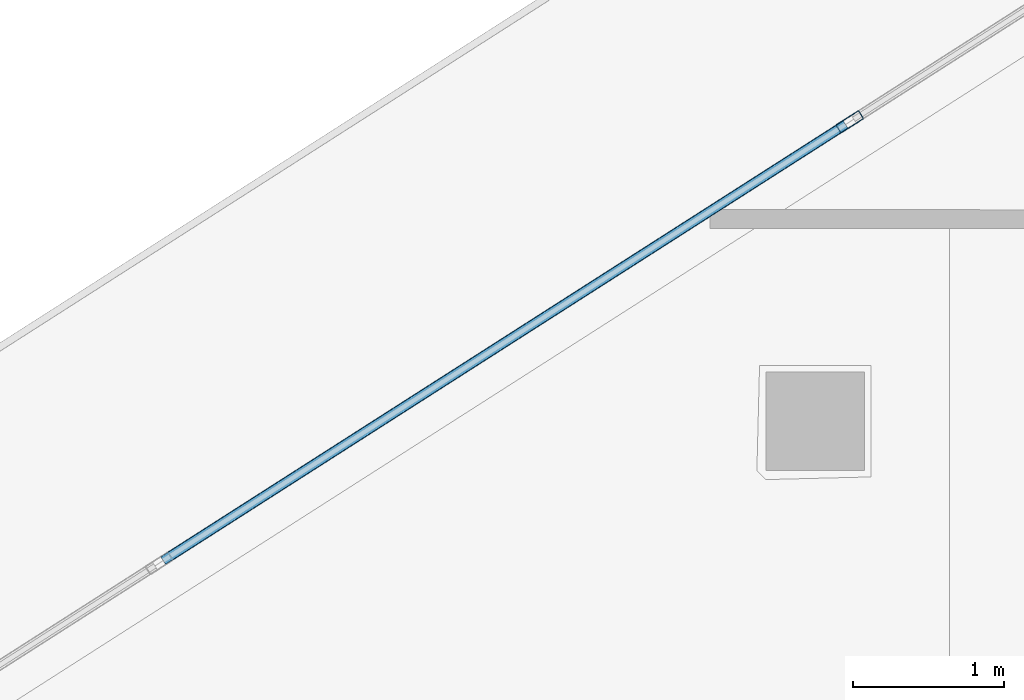
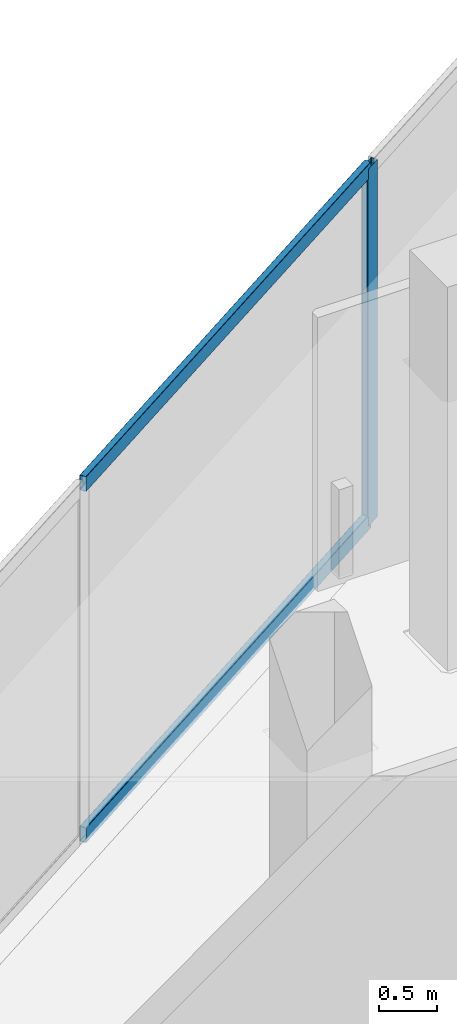
# One storey, part 14 of 44: 3 members, 1 element without a shape of its own.
"""IFC4 building model written with IfcOpenShell, lengths in metres."""

from ifc_helpers import new_model, si_unit, direction, frame, origin, origin_2d, place, context, subcontext, project, spatial, hollow_rectangle, extrude, material, layer, layer_set, material_profile, profile_set, type_object, element, aggregate, save


model = new_model("IFC4")

# Units and contexts
model_context = context("Model", 3, precision=1e-05, world=origin(), true_north=direction((0.0, 1.0)))
body_context = subcontext(model_context, "Body", "Model", "MODEL_VIEW")
ifc_project = project(units=[si_unit("LENGTHUNIT", "METRE"), si_unit("AREAUNIT", "SQUARE_METRE"), si_unit("VOLUMEUNIT", "CUBIC_METRE"), si_unit("PLANEANGLEUNIT", "RADIAN"), si_unit("MASSUNIT", "GRAM", prefix="KILO")], contexts=[model_context])

# Site, building, storey
site_placement = place(None, origin())
site = spatial("IfcSite", under=ifc_project, at=site_placement, CompositionType="ELEMENT")
building_placement = place(site_placement, origin())
building = spatial("IfcBuilding", under=site, at=building_placement, Name="Qorvath Tower", CompositionType="ELEMENT")
storey_placement = place(building_placement, frame((0.0, 0.0, 113.85009765625)))
storey = spatial("IfcBuildingStorey", under=building, at=storey_placement, Name="L25", CompositionType="ELEMENT", Elevation=113.85009765625)

# Curtain wall, members
ifc_material_1 = material(Name="Anodised aluminium and triple low-E glass", Category="aluminium")
ifc_layer = layer(ifc_material_1, 0.179931640625)
ifc_layer_set = layer_set([ifc_layer], Name="CW-SYS-2")
curtain_wall_type = type_object("IfcCurtainWallType", Name="CW-SYS-2", PredefinedType="NOTDEFINED", material=ifc_layer_set)
curtain_wall_placement = place(storey_placement, origin())
curtain_wall = element("IfcCurtainWall", 1, at=curtain_wall_placement, inside=storey, type_object=curtain_wall_type, Name="Curtain Wall CW-2 CW-T-L25-16.3", PredefinedType="NOTDEFINED")
ifc_material_2 = material(Name="Anodised aluminium 6063-T6", Category="aluminium")
ifc_material_profile_1 = material_profile(ifc_material_2, hollow_rectangle(XDim=0.06494140625, YDim=0.179931640625, WallThickness=0.00341796875, InnerFilletRadius=0.00341796875, OuterFilletRadius=0.007080078125, at=origin_2d()), Name="CWM 180x65")
ifc_profile_set_1 = profile_set([ifc_material_profile_1], Name="Anodised aluminium 6063-T6")
member_type_1 = type_object("IfcMemberType", Name="CWM-180", PredefinedType="MULLION", material=ifc_profile_set_1)
member_1_placement = place(storey_placement, frame((-44.50830078125, 12.629638671875, 0.0), z_axis=(0.0, 0.0, 1.0), x_axis=(0.538529946269, -0.84260637131, 0.0)))
member_1 = element("IfcMember", 2, at=member_1_placement, type_object=member_type_1, Name="CW-2 mullion 3", PredefinedType="MULLION", context=body_context, shape_type="SweptSolid", body=[
    extrude(hollow_rectangle(XDim=0.06494140625, YDim=0.179931640625, WallThickness=0.00341796875, InnerFilletRadius=0.00341796875, OuterFilletRadius=0.007080078125, at=origin_2d()), origin(), (0.0, 0.0, 1.0), 3.77001953125),
])
ifc_material_3 = material(Name="Anodised aluminium 6063-T6", Category="aluminium")
ifc_material_profile_2 = material_profile(ifc_material_3, hollow_rectangle(XDim=0.06494140625, YDim=0.159912109375, WallThickness=0.00341796875, InnerFilletRadius=0.00341796875, OuterFilletRadius=0.007080078125, at=origin_2d()), Name="CWT 160x65")
ifc_profile_set_2 = profile_set([ifc_material_profile_2], Name="Anodised aluminium 6063-T6")
member_type_2 = type_object("IfcMemberType", Name="CWT-160", PredefinedType="USERDEFINED", material=ifc_profile_set_2)
member_2_placement = place(storey_placement, frame((-44.53564453125, 12.612060546875, 0.032470703125), z_axis=(-0.842612823983, -0.538519850014, 0.0), x_axis=(0.538519850014, -0.842612823983, 0.0)))
member_2 = element("IfcMember", 3, at=member_2_placement, type_object=member_type_2, Name="CW-2 transom 3.1", ObjectType="TRANSOM", PredefinedType="USERDEFINED", context=body_context, shape_type="SweptSolid", body=[
    extrude(hollow_rectangle(XDim=0.06494140625, YDim=0.159912109375, WallThickness=0.00341796875, InnerFilletRadius=0.00341796875, OuterFilletRadius=0.007080078125, at=origin_2d()), origin(), (0.0, 0.0, 1.0), 5.34765625),
])
member_3_placement = place(storey_placement, frame((-44.53564453125, 12.612060546875, 3.737548828125), z_axis=(-0.842612823983, -0.538519850014, 0.0), x_axis=(0.538519850014, -0.842612823983, 0.0)))
member_3 = element("IfcMember", 4, at=member_3_placement, type_object=member_type_2, Name="CW-2 transom 3.2", ObjectType="TRANSOM", PredefinedType="USERDEFINED", context=body_context, shape_type="SweptSolid", body=[
    extrude(hollow_rectangle(XDim=0.06494140625, YDim=0.159912109375, WallThickness=0.00341796875, InnerFilletRadius=0.00341796875, OuterFilletRadius=0.007080078125, at=origin_2d()), origin(), (0.0, 0.0, 1.0), 5.34765625),
])
aggregate(curtain_wall, [member_1, member_2, member_3])

save(model, "model.ifc")
